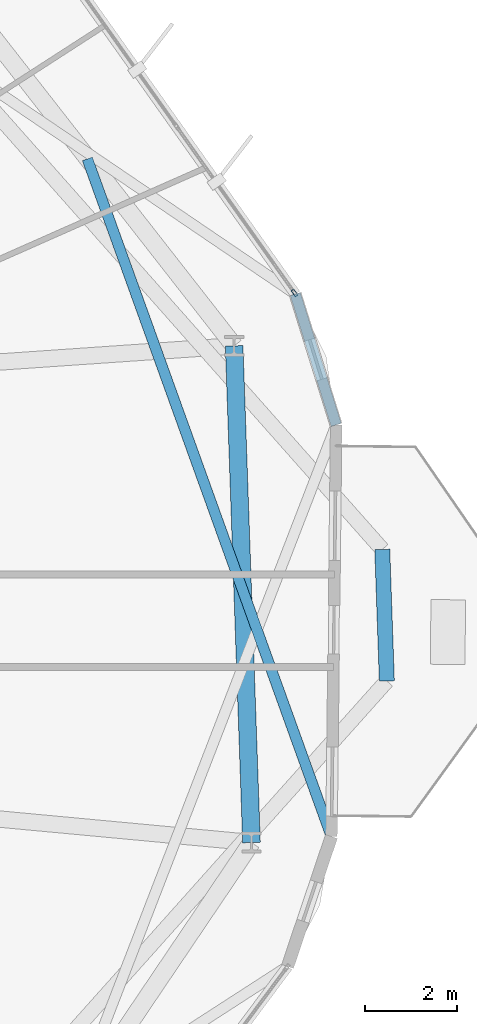
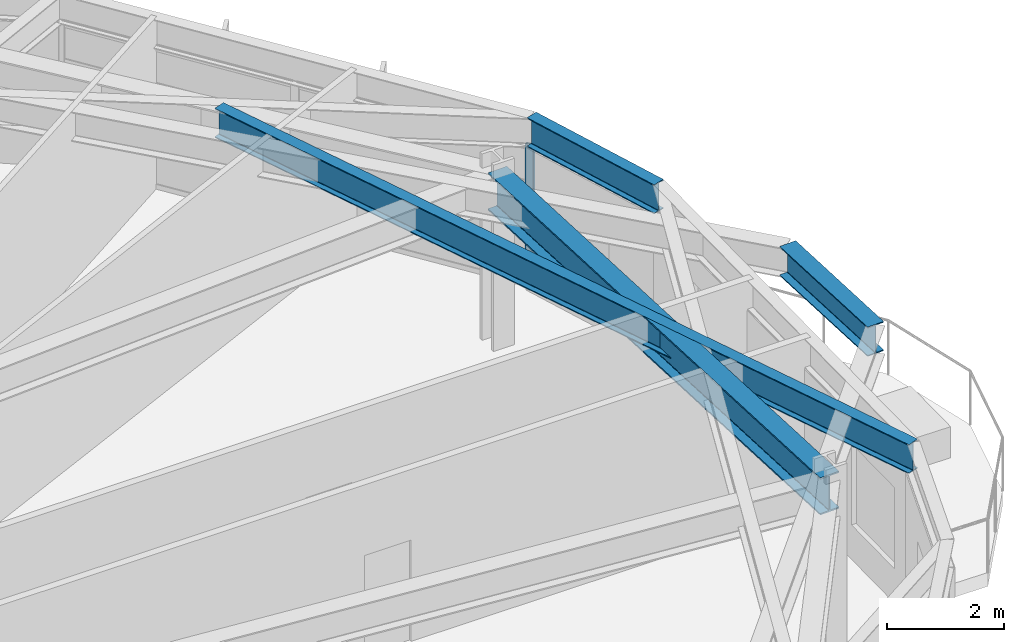
# One storey, part 14 of 27: 4 beams, 1 member, 1 element without a shape of its own.
"""IFC4 building model written with IfcOpenShell, lengths in metres."""

from ifc_helpers import new_model, si_unit, direction, frame, origin, origin_2d, place, context, subcontext, project, spatial, hollow_rectangle, i_section, extrude, material, layer, layer_set, material_profile, profile_set, type_object, element, aggregate, save


model = new_model("IFC4")

# Units and contexts
model_context = context("Model", 3, precision=1e-05, world=origin(), true_north=direction((0.0, 1.0)))
body_context = subcontext(model_context, "Body", "Model", "MODEL_VIEW")
ifc_project = project(units=[si_unit("LENGTHUNIT", "METRE"), si_unit("AREAUNIT", "SQUARE_METRE"), si_unit("VOLUMEUNIT", "CUBIC_METRE"), si_unit("PLANEANGLEUNIT", "RADIAN"), si_unit("MASSUNIT", "GRAM", prefix="KILO")], contexts=[model_context])

# Site, building, storey
site_placement = place(None, origin())
site = spatial("IfcSite", under=ifc_project, at=site_placement, CompositionType="ELEMENT")
building_placement = place(site_placement, origin())
building = spatial("IfcBuilding", under=site, at=building_placement, Name="Soratama Intermodal Tower", CompositionType="ELEMENT")
storey_placement = place(building_placement, frame((0.0, 0.0, 95.199951171875)))
storey = spatial("IfcBuildingStorey", under=building, at=storey_placement, Name="L22", CompositionType="ELEMENT", Elevation=95.199951171875)

# Beams
ifc_material_1 = material(Name="Structural steel ASTM A992 Grade 50", Category="steel")
ifc_material_profile_1 = material_profile(ifc_material_1, i_section(OverallWidth=0.324951171875, OverallDepth=0.615966796875, WebThickness=0.013916015625, FlangeThickness=0.021484375, FilletRadius=0.013916015625, at=origin_2d()), Name="W24X117")
ifc_profile_set_1 = profile_set([ifc_material_profile_1], Name="Structural steel ASTM A992 Grade 50")
beam_type_1 = type_object("IfcBeamType", Name="BM-CANT-W24X117", PredefinedType="BEAM", material=ifc_profile_set_1)
beam_1_placement = place(storey_placement, frame((64.655029296875, 23.699951171875, 3.2919921875), z_axis=(-0.034807752834, 0.999394026569, 0.0), x_axis=(-0.999394026569, -0.034807752834, 0.0)))
element("IfcBeam", 1, at=beam_1_placement, inside=storey, type_object=beam_type_1, Name="BM-L22-CBHDR-1", PredefinedType="BEAM", context=body_context, shape_type="SweptSolid", body=[
    extrude(i_section(OverallWidth=0.324951171875, OverallDepth=0.615966796875, WebThickness=0.013916015625, FlangeThickness=0.021484375, FilletRadius=0.013916015625, at=origin_2d()), origin(), (0.0, 0.0, 1.0), 2.84765625),
])
ifc_material_2 = material(Name="Structural steel ASTM A992 Grade 50", Category="steel")
ifc_material_profile_2 = material_profile(ifc_material_2, i_section(OverallWidth=0.382080078125, OverallDepth=0.779052734375, WebThickness=0.01806640625, FlangeThickness=0.030029296875, FilletRadius=0.01806640625, at=origin_2d()), Name="W30X191")
ifc_profile_set_2 = profile_set([ifc_material_profile_2], Name="Structural steel ASTM A992 Grade 50")
beam_type_2 = type_object("IfcBeamType", Name="BM-RING-W30X191", PredefinedType="BEAM", material=ifc_profile_set_2)
beam_2_placement = place(storey_placement, frame((61.72607421875, 20.2041015625, 3.21044921875), z_axis=(-0.034872799059, 0.999391758964, 0.0), x_axis=(-0.999391758964, -0.034872799059, 0.0)))
element("IfcBeam", 2, at=beam_2_placement, inside=storey, type_object=beam_type_2, Name="BM-L22-RING-10", PredefinedType="BEAM", context=body_context, shape_type="SweptSolid", body=[
    extrude(i_section(OverallWidth=0.382080078125, OverallDepth=0.779052734375, WebThickness=0.01806640625, FlangeThickness=0.030029296875, FilletRadius=0.01806640625, at=origin_2d()), origin(), (0.0, 0.0, 1.0), 10.75341796875),
])
ifc_material_3 = material(Name="Structural steel ASTM A992 Grade 50", Category="steel")
ifc_material_profile_3 = material_profile(ifc_material_3, i_section(OverallWidth=0.22900390625, OverallDepth=0.612060546875, WebThickness=0.011962890625, FlangeThickness=0.01953125, FilletRadius=0.012939453125, at=origin_2d()), Name="W24X84")
ifc_profile_set_3 = profile_set([ifc_material_profile_3], Name="Structural steel ASTM A992 Grade 50")
beam_type_3 = type_object("IfcBeamType", Name="BM-SPN-W24X84", PredefinedType="SPANDREL", material=ifc_profile_set_3)
beam_3_placement = place(storey_placement, frame((63.55908203125, 29.240966796875, 3.2939453125), z_axis=(-0.298068755021, 0.95454440299, 0.0), x_axis=(-0.95454440299, -0.298068755021, 0.0)))
element("IfcBeam", 3, at=beam_3_placement, inside=storey, type_object=beam_type_3, Name="BS-L22-CRN10", PredefinedType="SPANDREL", context=body_context, shape_type="SweptSolid", body=[
    extrude(i_section(OverallWidth=0.22900390625, OverallDepth=0.612060546875, WebThickness=0.011962890625, FlangeThickness=0.01953125, FilletRadius=0.012939453125, at=origin_2d()), origin(), (0.0, 0.0, 1.0), 2.9658203125),
])
ifc_material_4 = material(Name="Structural steel ASTM A992 Grade 50", Category="steel")
ifc_material_profile_4 = material_profile(ifc_material_4, i_section(OverallWidth=0.22900390625, OverallDepth=0.612060546875, WebThickness=0.011962890625, FlangeThickness=0.01953125, FilletRadius=0.012939453125, at=origin_2d()), Name="W24X84")
ifc_profile_set_4 = profile_set([ifc_material_profile_4], Name="Structural steel ASTM A992 Grade 50")
beam_type_4 = type_object("IfcBeamType", Name="BM-TIE-W24X84", PredefinedType="BEAM", material=ifc_profile_set_4)
beam_4_placement = place(storey_placement, frame((58.175048828125, 34.99609375, 3.2939453125), z_axis=(0.338849821865, -0.940840474375, 0.0), x_axis=(0.940840474375, 0.338849821865, 0.0)))
element("IfcBeam", 4, at=beam_4_placement, inside=storey, type_object=beam_type_4, Name="BM-L22-TIE0-10", PredefinedType="BEAM", context=body_context, shape_type="SweptSolid", body=[
    extrude(i_section(OverallWidth=0.22900390625, OverallDepth=0.612060546875, WebThickness=0.011962890625, FlangeThickness=0.01953125, FilletRadius=0.012939453125, at=origin_2d()), origin(), (0.0, 0.0, 1.0), 15.585205078125),
])

# Curtain wall, member
ifc_material_5 = material(Name="Double-glazed aluminium curtain wall", Category="aluminium")
ifc_layer = layer(ifc_material_5, 0.159912109375)
ifc_layer_set = layer_set([ifc_layer], Name="Double-glazed aluminium curtain wall")
curtain_wall_type = type_object("IfcCurtainWallType", Name="CW-SYS-3", PredefinedType="NOTDEFINED", material=ifc_layer_set)
curtain_wall_placement = place(storey_placement, origin())
curtain_wall = element("IfcCurtainWall", 5, at=curtain_wall_placement, inside=storey, type_object=curtain_wall_type, Name="L22 Faceted Curtain Wall F01", PredefinedType="NOTDEFINED")
ifc_material_6 = material(Name="Anodised aluminium AA 6063-T6", Category="aluminium")
ifc_material_profile_5 = material_profile(ifc_material_6, hollow_rectangle(XDim=0.070068359375, YDim=0.159912109375, WallThickness=0.0048828125, InnerFilletRadius=0.0048828125, OuterFilletRadius=0.010009765625, at=origin_2d()), Name="CWM160X70X5")
ifc_profile_set_5 = profile_set([ifc_material_profile_5], Name="Anodised aluminium AA 6063-T6")
member_type = type_object("IfcMemberType", Name="MT-CWM-3", PredefinedType="MULLION", material=ifc_profile_set_5)
member_placement = place(storey_placement, frame((62.6572265625, 32.096923828125, 0.0), z_axis=(0.0, 0.0, 1.0), x_axis=(-0.815736261587, -0.578424023993, 0.0)))
member = element("IfcMember", 6, at=member_placement, type_object=member_type, Name="CW-3 mullion 1", PredefinedType="MULLION", context=body_context, shape_type="SweptSolid", body=[
    extrude(hollow_rectangle(XDim=0.070068359375, YDim=0.159912109375, WallThickness=0.0048828125, InnerFilletRadius=0.0048828125, OuterFilletRadius=0.010009765625, at=origin_2d()), origin(), (0.0, 0.0, 1.0), 2.97900390625),
])
aggregate(curtain_wall, [member])

save(model, "model.ifc")
